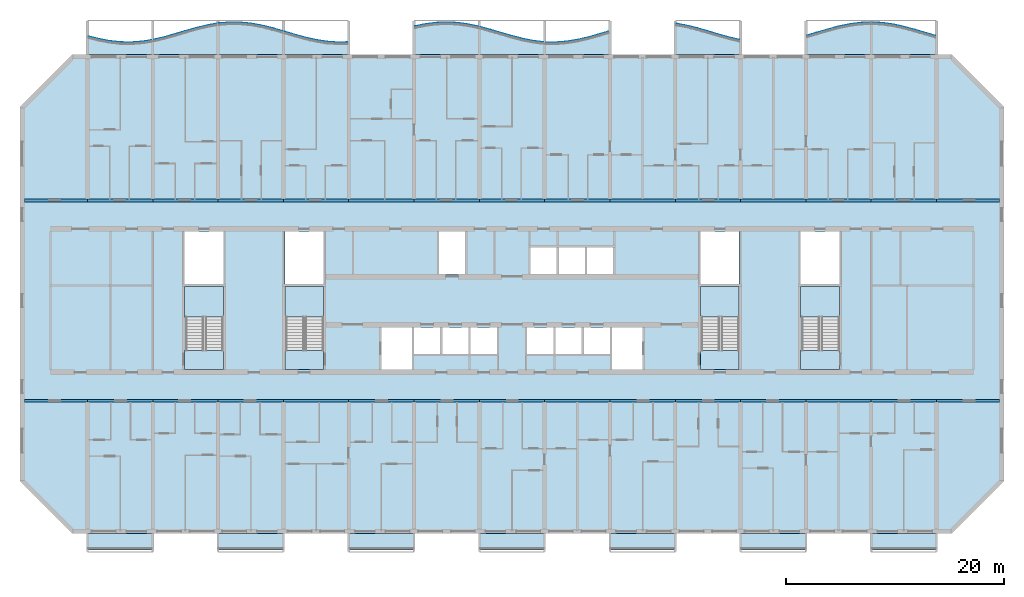
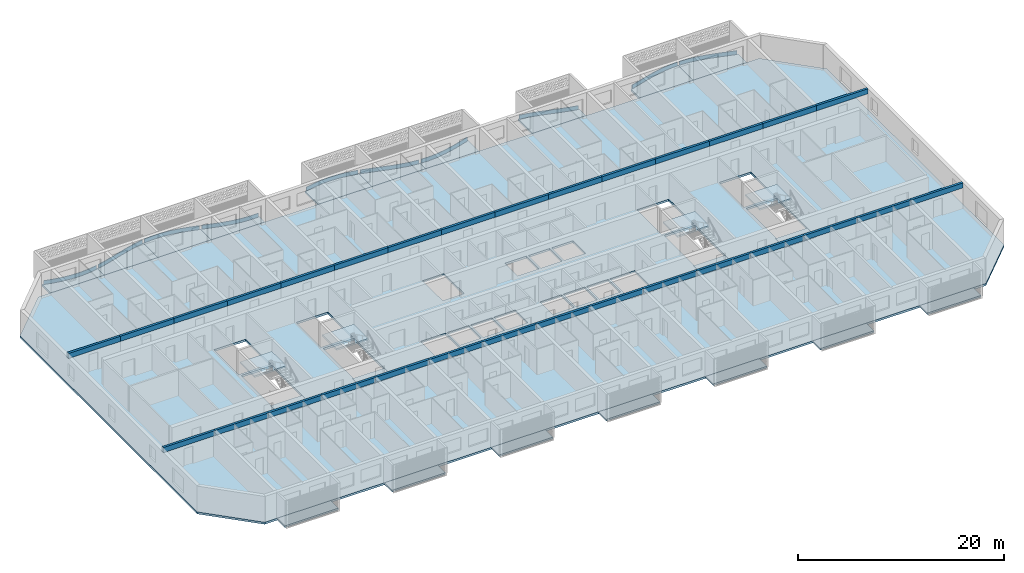
# One storey, part 1 of 26: 30 beams, 26 slabs, 10 plates, 4 elements without a shape of their own.
"""IFC4 building model written with IfcOpenShell, lengths in metres."""

from ifc_helpers import new_model, si_unit, direction, frame, origin, origin_2d, place, context, subcontext, project, spatial, polyline, rectangle, outline, extrude, source, transform, mapped, material, layer, layer_set, material_profile, profile_set, type_object, element, aggregate, save


model = new_model("IFC4")

# Units and contexts
model_context = context("Model", 3, precision=1e-05, world=origin(), true_north=direction((0.0, 1.0)))
body_context = subcontext(model_context, "Body", "Model", "MODEL_VIEW")
ifc_project = project(units=[si_unit("LENGTHUNIT", "METRE"), si_unit("AREAUNIT", "SQUARE_METRE"), si_unit("VOLUMEUNIT", "CUBIC_METRE"), si_unit("PLANEANGLEUNIT", "RADIAN"), si_unit("MASSUNIT", "GRAM", prefix="KILO")], contexts=[model_context])

# Site, building, storey
site_placement = place(None, origin())
site = spatial("IfcSite", under=ifc_project, at=site_placement, CompositionType="ELEMENT")
building_placement = place(site_placement, origin())
building = spatial("IfcBuilding", under=site, at=building_placement, Name="Poui Terraces", CompositionType="ELEMENT")
storey_placement = place(building_placement, frame((0.0, 0.0, 79.5)))
storey = spatial("IfcBuildingStorey", under=building, at=storey_placement, Name="L21", CompositionType="ELEMENT", Elevation=79.5)

# Beams
ifc_material_1 = material(Name="Concrete 65 MPa", Category="concrete")
ifc_material_profile = material_profile(ifc_material_1, rectangle(XDim=0.25, YDim=0.60009765625, at=origin_2d()), Name="RC 250x600")
ifc_profile_set = profile_set([ifc_material_profile], Name="Concrete 65 MPa")
beam_type = type_object("IfcBeamType", Name="COUPLING BEAM 250x600 65MPa", PredefinedType="BEAM", material=ifc_profile_set)
shared_shape_1 = source(origin(), body_context, "Body", "SweptSolid", [
    extrude(rectangle(XDim=0.25, YDim=0.60009765625, at=origin_2d()), origin(), (0.0, 0.0, 1.0), 5.800048828125),
])
for number, where, z_axis, x_axis, name in (
    (1, (6.199951171875, 12.0, 2.760009765625), (1.0, 0.0, 0.0), (0.0, 1.0, 0.0), "COUPLING BEAM LINE B BAY 1"),
    (2, (90.0, 12.0, 2.760009765625), (1.0, 0.0, 0.0), (0.0, 1.0, 0.0), "COUPLING BEAM LINE B BAY 15"),
    (3, (6.199951171875, 30.39990234375, 2.760009765625), (1.0, 0.0, 0.0), (0.0, 1.0, 0.0), "COUPLING BEAM LINE E BAY 1"),
    (4, (90.0, 30.39990234375, 2.760009765625), (1.0, 0.0, 0.0), (0.0, 1.0, 0.0), "COUPLING BEAM LINE E BAY 15"),
):
    element("IfcBeam", number, at=place(storey_placement, frame(where, z_axis=z_axis, x_axis=x_axis)), inside=storey, type_object=beam_type, Name=name, PredefinedType="BEAM", context=body_context, shape_type="MappedRepresentation", body=[
        mapped(shared_shape_1, transform((0.0, 0.0, 0.0))),
    ])
shared_shape_2 = source(origin(), body_context, "Body", "SweptSolid", [
    extrude(rectangle(XDim=0.25, YDim=0.60009765625, at=origin_2d()), origin(), (0.0, 0.0, 1.0), 6.0),
])
for number, where, z_axis, x_axis, name in (
    (5, (12.0, 12.0, 2.760009765625), (1.0, 0.0, 0.0), (0.0, 1.0, 0.0), "COUPLING BEAM LINE B BAY 2"),
    (6, (18.0, 12.0, 2.760009765625), (1.0, 0.0, 0.0), (0.0, 1.0, 0.0), "COUPLING BEAM LINE B BAY 3"),
    (7, (24.0, 12.0, 2.760009765625), (1.0, 0.0, 0.0), (0.0, 1.0, 0.0), "COUPLING BEAM LINE B BAY 4"),
    (8, (30.0, 12.0, 2.760009765625), (1.0, 0.0, 0.0), (0.0, 1.0, 0.0), "COUPLING BEAM LINE B BAY 5"),
    (9, (36.0, 12.0, 2.760009765625), (1.0, 0.0, 0.0), (0.0, 1.0, 0.0), "COUPLING BEAM LINE B BAY 6"),
    (10, (42.0, 12.0, 2.760009765625), (1.0, 0.0, 0.0), (0.0, 1.0, 0.0), "COUPLING BEAM LINE B BAY 7"),
    (11, (48.0, 12.0, 2.760009765625), (1.0, 0.0, 0.0), (0.0, 1.0, 0.0), "COUPLING BEAM LINE B BAY 8"),
    (12, (54.0, 12.0, 2.760009765625), (1.0, 0.0, 0.0), (0.0, 1.0, 0.0), "COUPLING BEAM LINE B BAY 9"),
    (13, (60.0, 12.0, 2.760009765625), (1.0, 0.0, 0.0), (0.0, 1.0, 0.0), "COUPLING BEAM LINE B BAY 10"),
    (14, (66.0, 12.0, 2.760009765625), (1.0, 0.0, 0.0), (0.0, 1.0, 0.0), "COUPLING BEAM LINE B BAY 11"),
    (15, (72.0, 12.0, 2.760009765625), (1.0, 0.0, 0.0), (0.0, 1.0, 0.0), "COUPLING BEAM LINE B BAY 12"),
    (16, (78.0, 12.0, 2.760009765625), (1.0, 0.0, 0.0), (0.0, 1.0, 0.0), "COUPLING BEAM LINE B BAY 13"),
    (17, (84.0, 12.0, 2.760009765625), (1.0, 0.0, 0.0), (0.0, 1.0, 0.0), "COUPLING BEAM LINE B BAY 14"),
    (18, (12.0, 30.39990234375, 2.760009765625), (1.0, 0.0, 0.0), (0.0, 1.0, 0.0), "COUPLING BEAM LINE E BAY 2"),
    (19, (18.0, 30.39990234375, 2.760009765625), (1.0, 0.0, 0.0), (0.0, 1.0, 0.0), "COUPLING BEAM LINE E BAY 3"),
    (20, (24.0, 30.39990234375, 2.760009765625), (1.0, 0.0, 0.0), (0.0, 1.0, 0.0), "COUPLING BEAM LINE E BAY 4"),
    (21, (30.0, 30.39990234375, 2.760009765625), (1.0, 0.0, 0.0), (0.0, 1.0, 0.0), "COUPLING BEAM LINE E BAY 5"),
    (22, (36.0, 30.39990234375, 2.760009765625), (1.0, 0.0, 0.0), (0.0, 1.0, 0.0), "COUPLING BEAM LINE E BAY 6"),
    (23, (42.0, 30.39990234375, 2.760009765625), (1.0, 0.0, 0.0), (0.0, 1.0, 0.0), "COUPLING BEAM LINE E BAY 7"),
    (24, (48.0, 30.39990234375, 2.760009765625), (1.0, 0.0, 0.0), (0.0, 1.0, 0.0), "COUPLING BEAM LINE E BAY 8"),
    (25, (54.0, 30.39990234375, 2.760009765625), (1.0, 0.0, 0.0), (0.0, 1.0, 0.0), "COUPLING BEAM LINE E BAY 9"),
    (26, (60.0, 30.39990234375, 2.760009765625), (1.0, 0.0, 0.0), (0.0, 1.0, 0.0), "COUPLING BEAM LINE E BAY 10"),
    (27, (66.0, 30.39990234375, 2.760009765625), (1.0, 0.0, 0.0), (0.0, 1.0, 0.0), "COUPLING BEAM LINE E BAY 11"),
    (28, (72.0, 30.39990234375, 2.760009765625), (1.0, 0.0, 0.0), (0.0, 1.0, 0.0), "COUPLING BEAM LINE E BAY 12"),
    (29, (78.0, 30.39990234375, 2.760009765625), (1.0, 0.0, 0.0), (0.0, 1.0, 0.0), "COUPLING BEAM LINE E BAY 13"),
    (30, (84.0, 30.39990234375, 2.760009765625), (1.0, 0.0, 0.0), (0.0, 1.0, 0.0), "COUPLING BEAM LINE E BAY 14"),
):
    element("IfcBeam", number, at=place(storey_placement, frame(where, z_axis=z_axis, x_axis=x_axis)), inside=storey, type_object=beam_type, Name=name, PredefinedType="BEAM", context=body_context, shape_type="MappedRepresentation", body=[
        mapped(shared_shape_2, transform((0.0, 0.0, 0.0))),
    ])

# Slabs
ifc_material_2 = material(Name="Precast concrete 40 MPa", Category="concrete")
ifc_layer_1 = layer(ifc_material_2, 0.199951171875)
ifc_layer_set_1 = layer_set([ifc_layer_1], Name="Precast concrete 40 MPa")
slab_type_1 = type_object("IfcSlabType", Name="BALCONY SLAB 200", PredefinedType="FLOOR", material=ifc_layer_set_1)
slab_1_placement = place(storey_placement, frame((0.0, 0.0, -0.2001953125)))
element("IfcSlab", 31, at=slab_1_placement, inside=storey, type_object=slab_type_1, Name="BALCONY SLAB", PredefinedType="FLOOR", context=body_context, shape_type="SweptSolid", body=[
    extrude(outline(polyline([(12.0, 43.800048828125), (18.0, 43.800048828125), (18.0, 45.140869140625), (17.0, 44.97900390625), (16.0, 44.904052734375), (15.0, 44.924072265625), (14.0, 45.03662109375), (13.0, 45.23046875), (12.0, 45.4853515625), (12.0, 43.800048828125)])), origin(), (0.0, 0.0, 1.0), 0.2001953125),
])
slab_2_placement = place(storey_placement, frame((0.0, 0.0, -0.2001953125)))
element("IfcSlab", 32, at=slab_2_placement, inside=storey, type_object=slab_type_1, Name="BALCONY SLAB", PredefinedType="FLOOR", context=body_context, shape_type="SweptSolid", body=[
    extrude(outline(polyline([(18.0, 43.800048828125), (24.0, 43.800048828125), (24.0, 46.649658203125), (23.0, 46.474609375), (22.0, 46.232666015625), (21.0, 45.94873046875), (20.0, 45.652099609375), (19.0, 45.373291015625), (18.0, 45.140869140625), (18.0, 43.800048828125)])), origin(), (0.0, 0.0, 1.0), 0.2001953125),
])
slab_3_placement = place(storey_placement, frame((0.0, 0.0, -0.2001953125)))
element("IfcSlab", 33, at=slab_3_placement, inside=storey, type_object=slab_type_1, Name="BALCONY SLAB", PredefinedType="FLOOR", context=body_context, shape_type="SweptSolid", body=[
    extrude(outline(polyline([(24.0, 43.800048828125), (30.0, 43.800048828125), (30.0, 45.92431640625), (29.0, 46.210205078125), (28.0, 46.456787109375), (27.0, 46.63818359375), (26.0, 46.73583984375), (25.0, 46.739990234375), (24.0, 46.649658203125), (24.0, 43.800048828125)])), origin(), (0.0, 0.0, 1.0), 0.2001953125),
])
slab_4_placement = place(storey_placement, frame((0.0, 0.0, -0.2001953125)))
element("IfcSlab", 34, at=slab_4_placement, inside=storey, type_object=slab_type_1, Name="BALCONY SLAB", PredefinedType="FLOOR", context=body_context, shape_type="SweptSolid", body=[
    extrude(outline(polyline([(30.0, 43.800048828125), (36.0, 43.800048828125), (36.0, 44.929931640625), (35.0, 44.902099609375), (34.0, 44.96923828125), (33.0, 45.12451171875), (32.0, 45.351806640625), (31.0, 45.627685546875), (30.0, 45.92431640625), (30.0, 43.800048828125)])), origin(), (0.0, 0.0, 1.0), 0.2001953125),
])
slab_5_placement = place(storey_placement, frame((0.0, 0.0, -0.2001953125)))
element("IfcSlab", 35, at=slab_5_placement, inside=storey, type_object=slab_type_1, Name="BALCONY SLAB", PredefinedType="FLOOR", context=body_context, shape_type="SweptSolid", body=[
    extrude(outline(polyline([(42.0, 43.800048828125), (48.0, 43.800048828125), (48.0, 46.340087890625), (47.0, 46.556884765625), (46.0, 46.698486328125), (45.0, 46.75), (44.0, 46.706298828125), (43.0, 46.572021484375), (42.0, 46.360595703125), (42.0, 43.800048828125)])), origin(), (0.0, 0.0, 1.0), 0.2001953125),
])
slab_6_placement = place(storey_placement, frame((0.0, 0.0, -0.2001953125)))
element("IfcSlab", 36, at=slab_6_placement, inside=storey, type_object=slab_type_1, Name="BALCONY SLAB", PredefinedType="FLOOR", context=body_context, shape_type="SweptSolid", body=[
    extrude(outline(polyline([(48.0, 43.800048828125), (54.0, 43.800048828125), (54.0, 44.924072265625), (53.0, 45.03662109375), (52.0, 45.23046875), (51.0, 45.4853515625), (50.0, 45.775390625), (49.0, 46.0703125), (48.0, 46.340087890625), (48.0, 43.800048828125)])), origin(), (0.0, 0.0, 1.0), 0.2001953125),
])
slab_7_placement = place(storey_placement, frame((0.0, 0.0, -0.2001953125)))
element("IfcSlab", 37, at=slab_7_placement, inside=storey, type_object=slab_type_1, Name="BALCONY SLAB", PredefinedType="FLOOR", context=body_context, shape_type="SweptSolid", body=[
    extrude(outline(polyline([(54.0, 43.800048828125), (60.0, 43.800048828125), (60.0, 45.94873046875), (59.0, 45.652099609375), (58.0, 45.373291015625), (57.0, 45.140869140625), (56.0, 44.97900390625), (55.0, 44.904052734375), (54.0, 44.924072265625), (54.0, 43.800048828125)])), origin(), (0.0, 0.0, 1.0), 0.2001953125),
])
slab_8_placement = place(storey_placement, frame((0.0, 0.0, -0.2001953125)))
element("IfcSlab", 38, at=slab_8_placement, inside=storey, type_object=slab_type_1, Name="BALCONY SLAB", PredefinedType="FLOOR", context=body_context, shape_type="SweptSolid", body=[
    extrude(outline(polyline([(66.0, 43.800048828125), (72.0, 43.800048828125), (72.0, 45.12451171875), (71.0, 45.351806640625), (70.0, 45.627685546875), (69.0, 45.92431640625), (68.0, 46.210205078125), (67.0, 46.456787109375), (66.0, 46.63818359375), (66.0, 43.800048828125)])), origin(), (0.0, 0.0, 1.0), 0.2001953125),
])
slab_9_placement = place(storey_placement, frame((0.0, 0.0, -0.2001953125)))
element("IfcSlab", 39, at=slab_9_placement, inside=storey, type_object=slab_type_1, Name="BALCONY SLAB", PredefinedType="FLOOR", context=body_context, shape_type="SweptSolid", body=[
    extrude(outline(polyline([(78.0, 43.800048828125), (84.0, 43.800048828125), (84.0, 46.75), (83.0, 46.706298828125), (82.0, 46.572021484375), (81.0, 46.360595703125), (80.0, 46.09423828125), (79.0, 45.80029296875), (78.0, 45.508544921875), (78.0, 43.800048828125)])), origin(), (0.0, 0.0, 1.0), 0.2001953125),
])
slab_10_placement = place(storey_placement, frame((0.0, 0.0, -0.2001953125)))
element("IfcSlab", 40, at=slab_10_placement, inside=storey, type_object=slab_type_1, Name="BALCONY SLAB", PredefinedType="FLOOR", context=body_context, shape_type="SweptSolid", body=[
    extrude(outline(polyline([(84.0, 43.800048828125), (90.0, 43.800048828125), (90.0, 45.4853515625), (89.0, 45.775390625), (88.0, 46.0703125), (87.0, 46.340087890625), (86.0, 46.556884765625), (85.0, 46.698486328125), (84.0, 46.75), (84.0, 43.800048828125)])), origin(), (0.0, 0.0, 1.0), 0.2001953125),
])

# Stair, slabs
stair_type = type_object("IfcStairType", Name="EXIT STAIR 1650 65 MPA", PredefinedType="HALF_TURN_STAIR", material=ifc_material_1)
stair_1_placement = place(storey_placement, origin())
stair_1 = element("IfcStair", 41, at=stair_1_placement, inside=storey, type_object=stair_type, Name="L21 CORE STAIR EAST", PredefinedType="HALF_TURN_STAIR")
ifc_layer_2 = layer(ifc_material_1, 0.199951171875)
ifc_layer_set_2 = layer_set([ifc_layer_2], Name="Concrete 65 MPa")
slab_type_2 = type_object("IfcSlabType", Name="STAIR LANDING 200 65 MPA", PredefinedType="LANDING", material=ifc_layer_set_2)
slab_11_placement = place(storey_placement, frame((0.0, 0.0, 1.449951171875)))
slab_11 = element("IfcSlab", 42, at=slab_11_placement, type_object=slab_type_2, Name="ST-CE landing 1", PredefinedType="LANDING", context=body_context, shape_type="SweptSolid", body=[
    extrude(outline(polyline([(68.324951171875, 19.679931640625), (71.875, 19.679931640625), (71.875, 22.47509765625), (68.324951171875, 22.47509765625), (68.324951171875, 19.679931640625)])), origin(), (0.0, 0.0, 1.0), 0.199951171875),
])
slab_12_placement = place(storey_placement, frame((0.0, 0.0, -0.2001953125)))
slab_12 = element("IfcSlab", 43, at=slab_12_placement, type_object=slab_type_2, Name="ST-CE landing 2", PredefinedType="LANDING", context=body_context, shape_type="SweptSolid", body=[
    extrude(outline(polyline([(68.324951171875, 14.85009765625), (71.875, 14.85009765625), (71.875, 16.60009765625), (68.324951171875, 16.60009765625), (68.324951171875, 14.85009765625)])), origin(), (0.0, 0.0, 1.0), 0.2001953125),
])
aggregate(stair_1, [slab_11, slab_12])

stair_2_placement = place(storey_placement, origin())
stair_2 = element("IfcStair", 44, at=stair_2_placement, inside=storey, type_object=stair_type, Name="L21 CORE STAIR WEST", PredefinedType="HALF_TURN_STAIR")
slab_13_placement = place(storey_placement, frame((0.0, 0.0, 1.449951171875)))
slab_13 = element("IfcSlab", 45, at=slab_13_placement, type_object=slab_type_2, Name="ST-CW landing 1", PredefinedType="LANDING", context=body_context, shape_type="SweptSolid", body=[
    extrude(outline(polyline([(30.125, 19.679931640625), (33.675048828125, 19.679931640625), (33.675048828125, 22.47509765625), (30.125, 22.47509765625), (30.125, 19.679931640625)])), origin(), (0.0, 0.0, 1.0), 0.199951171875),
])
slab_14_placement = place(storey_placement, frame((0.0, 0.0, -0.2001953125)))
slab_14 = element("IfcSlab", 46, at=slab_14_placement, type_object=slab_type_2, Name="ST-CW landing 2", PredefinedType="LANDING", context=body_context, shape_type="SweptSolid", body=[
    extrude(outline(polyline([(30.125, 14.85009765625), (33.675048828125, 14.85009765625), (33.675048828125, 16.60009765625), (30.125, 16.60009765625), (30.125, 14.85009765625)])), origin(), (0.0, 0.0, 1.0), 0.2001953125),
])
aggregate(stair_2, [slab_13, slab_14])

stair_3_placement = place(storey_placement, origin())
stair_3 = element("IfcStair", 47, at=stair_3_placement, inside=storey, type_object=stair_type, Name="L21 TIP STAIR EAST", PredefinedType="HALF_TURN_STAIR")
slab_15_placement = place(storey_placement, frame((0.0, 0.0, 1.449951171875)))
slab_15 = element("IfcSlab", 48, at=slab_15_placement, type_object=slab_type_2, Name="ST-E landing 1", PredefinedType="LANDING", context=body_context, shape_type="SweptSolid", body=[
    extrude(outline(polyline([(77.52490234375, 19.679931640625), (81.074951171875, 19.679931640625), (81.074951171875, 22.47509765625), (77.52490234375, 22.47509765625), (77.52490234375, 19.679931640625)])), origin(), (0.0, 0.0, 1.0), 0.199951171875),
])
slab_16_placement = place(storey_placement, frame((0.0, 0.0, -0.2001953125)))
slab_16 = element("IfcSlab", 49, at=slab_16_placement, type_object=slab_type_2, Name="ST-E landing 2", PredefinedType="LANDING", context=body_context, shape_type="SweptSolid", body=[
    extrude(outline(polyline([(77.52490234375, 14.85009765625), (81.074951171875, 14.85009765625), (81.074951171875, 16.60009765625), (77.52490234375, 16.60009765625), (77.52490234375, 14.85009765625)])), origin(), (0.0, 0.0, 1.0), 0.2001953125),
])
aggregate(stair_3, [slab_15, slab_16])

stair_4_placement = place(storey_placement, origin())
stair_4 = element("IfcStair", 50, at=stair_4_placement, inside=storey, type_object=stair_type, Name="L21 TIP STAIR WEST", PredefinedType="HALF_TURN_STAIR")
slab_17_placement = place(storey_placement, frame((0.0, 0.0, 1.449951171875)))
slab_17 = element("IfcSlab", 51, at=slab_17_placement, type_object=slab_type_2, Name="ST-W landing 1", PredefinedType="LANDING", context=body_context, shape_type="SweptSolid", body=[
    extrude(outline(polyline([(20.925048828125, 19.679931640625), (24.47509765625, 19.679931640625), (24.47509765625, 22.47509765625), (20.925048828125, 22.47509765625), (20.925048828125, 19.679931640625)])), origin(), (0.0, 0.0, 1.0), 0.199951171875),
])
slab_18_placement = place(storey_placement, frame((0.0, 0.0, -0.2001953125)))
slab_18 = element("IfcSlab", 52, at=slab_18_placement, type_object=slab_type_2, Name="ST-W landing 2", PredefinedType="LANDING", context=body_context, shape_type="SweptSolid", body=[
    extrude(outline(polyline([(20.925048828125, 14.85009765625), (24.47509765625, 14.85009765625), (24.47509765625, 16.60009765625), (20.925048828125, 16.60009765625), (20.925048828125, 14.85009765625)])), origin(), (0.0, 0.0, 1.0), 0.2001953125),
])
aggregate(stair_4, [slab_17, slab_18])

# Plates
ifc_layer_3 = layer(ifc_material_2, 0.080078125)
ifc_layer_set_3 = layer_set([ifc_layer_3], Name="Precast concrete 40 MPa")
plate_type = type_object("IfcPlateType", Name="SUNSHADE UPSTAND 80", PredefinedType="SHEET", material=ifc_layer_set_3)
plate_1_placement = place(storey_placement, origin())
element("IfcPlate", 53, at=plate_1_placement, inside=storey, type_object=plate_type, Name="SUNSHADE UPSTAND", PredefinedType="SHEET", context=body_context, shape_type="SweptSolid", body=[
    extrude(outline(polyline([(13.0087890625, 45.224609375), (12.134765625, 45.44482421875), (12.115234375, 45.3671875), (12.9912109375, 45.146484375), (13.993896484375, 44.9521484375), (14.997314453125, 44.839111328125), (16.001220703125, 44.819091796875), (17.004638671875, 44.894287109375), (17.881103515625, 45.031982421875), (17.868896484375, 45.11083984375), (16.995361328125, 44.9736328125), (15.998779296875, 44.899169921875), (15.002685546875, 44.9189453125), (14.006103515625, 45.03125), (13.0087890625, 45.224609375)])), origin(), (0.0, 0.0, 1.0), 0.449951171875),
])
plate_2_placement = place(storey_placement, origin())
element("IfcPlate", 54, at=plate_2_placement, inside=storey, type_object=plate_type, Name="SUNSHADE UPSTAND", PredefinedType="SHEET", context=body_context, shape_type="SweptSolid", body=[
    extrude(outline(polyline([(18.989990234375, 45.366943359375), (18.11572265625, 45.160400390625), (18.13427734375, 45.08251953125), (19.010009765625, 45.28955078125), (20.010986328125, 45.568603515625), (21.01123046875, 45.865478515625), (22.01025390625, 46.14892578125), (23.00830078125, 46.390380859375), (23.882080078125, 46.5478515625), (23.867919921875, 46.626708984375), (22.99169921875, 46.46875), (21.98974609375, 46.226318359375), (20.98876953125, 45.942138671875), (19.989013671875, 45.6455078125), (18.989990234375, 45.366943359375)])), origin(), (0.0, 0.0, 1.0), 0.449951171875),
])
plate_3_placement = place(storey_placement, origin())
element("IfcPlate", 55, at=plate_3_placement, inside=storey, type_object=plate_type, Name="SUNSHADE UPSTAND", PredefinedType="SHEET", context=body_context, shape_type="SweptSolid", body=[
    extrude(outline(polyline([(24.998291015625, 46.73486328125), (24.13671875, 46.662109375), (24.12158203125, 46.66064453125), (24.12841796875, 46.5810546875), (25.001708984375, 46.65478515625), (25.998046875, 46.65087890625), (26.994384765625, 46.5537109375), (27.99169921875, 46.37255859375), (28.98974609375, 46.126708984375), (29.864013671875, 45.877685546875), (29.885986328125, 45.95458984375), (29.01025390625, 46.2041015625), (28.00830078125, 46.450927734375), (27.005615234375, 46.6328125), (26.001953125, 46.73095703125), (24.998291015625, 46.73486328125)])), origin(), (0.0, 0.0, 1.0), 0.449951171875),
])
plate_4_placement = place(storey_placement, origin())
element("IfcPlate", 56, at=plate_4_placement, inside=storey, type_object=plate_type, Name="SUNSHADE UPSTAND", PredefinedType="SHEET", context=body_context, shape_type="SweptSolid", body=[
    extrude(outline(polyline([(31.010986328125, 45.621337890625), (30.136474609375, 45.88037109375), (30.113525390625, 45.8037109375), (30.989013671875, 45.54443359375), (31.990234375, 45.26806640625), (32.992431640625, 45.0400390625), (33.99560546875, 44.884521484375), (34.9990234375, 44.817138671875), (35.8759765625, 44.836181640625), (35.8740234375, 44.916259765625), (35.0009765625, 44.897216796875), (34.00439453125, 44.964111328125), (33.007568359375, 45.118896484375), (32.009765625, 45.345703125), (31.010986328125, 45.621337890625)])), origin(), (0.0, 0.0, 1.0), 0.449951171875),
])
plate_5_placement = place(storey_placement, origin())
element("IfcPlate", 57, at=plate_5_placement, inside=storey, type_object=plate_type, Name="SUNSHADE UPSTAND", PredefinedType="SHEET", context=body_context, shape_type="SweptSolid", body=[
    extrude(outline(polyline([(42.993408203125, 46.56640625), (42.116943359375, 46.384765625), (42.133056640625, 46.306396484375), (43.006591796875, 46.4873046875), (44.00341796875, 46.621337890625), (44.999755859375, 46.664794921875), (45.99609375, 46.613525390625), (46.992919921875, 46.472412109375), (47.86669921875, 46.28662109375), (47.88330078125, 46.36474609375), (47.007080078125, 46.551513671875), (46.00390625, 46.693115234375), (45.000244140625, 46.7451171875), (43.99658203125, 46.701171875), (42.993408203125, 46.56640625)])), origin(), (0.0, 0.0, 1.0), 0.449951171875),
])
plate_6_placement = place(storey_placement, origin())
element("IfcPlate", 58, at=plate_6_placement, inside=storey, type_object=plate_type, Name="SUNSHADE UPSTAND", PredefinedType="SHEET", context=body_context, shape_type="SweptSolid", body=[
    extrude(outline(polyline([(49.010986328125, 46.06396484375), (48.135498046875, 46.302490234375), (48.114501953125, 46.22509765625), (48.989013671875, 45.98681640625), (49.98876953125, 45.69189453125), (50.989501953125, 45.40185546875), (51.9912109375, 45.146484375), (52.993896484375, 44.9521484375), (53.870361328125, 44.848388671875), (53.879638671875, 44.927978515625), (53.006103515625, 45.03125), (52.0087890625, 45.224609375), (51.010498046875, 45.47900390625), (50.01123046875, 45.768798828125), (49.010986328125, 46.06396484375)])), origin(), (0.0, 0.0, 1.0), 0.449951171875),
])
plate_7_placement = place(storey_placement, origin())
element("IfcPlate", 59, at=plate_7_placement, inside=storey, type_object=plate_type, Name="SUNSHADE UPSTAND", PredefinedType="SHEET", context=body_context, shape_type="SweptSolid", body=[
    extrude(outline(polyline([(54.998779296875, 44.899169921875), (54.12548828125, 44.911376953125), (54.12451171875, 44.831298828125), (55.001220703125, 44.819091796875), (56.004638671875, 44.894287109375), (57.0078125, 45.056640625), (58.010009765625, 45.28955078125), (59.010986328125, 45.568603515625), (59.886474609375, 45.82861328125), (59.863525390625, 45.9052734375), (58.989013671875, 45.6455078125), (57.989990234375, 45.3671875), (56.9921875, 45.13525390625), (55.995361328125, 44.9736328125), (54.998779296875, 44.899169921875)])), origin(), (0.0, 0.0, 1.0), 0.449951171875),
])
plate_8_placement = place(storey_placement, origin())
element("IfcPlate", 60, at=plate_8_placement, inside=storey, type_object=plate_type, Name="SUNSHADE UPSTAND", PredefinedType="SHEET", context=body_context, shape_type="SweptSolid", body=[
    extrude(outline(polyline([(67.008544921875, 46.450927734375), (66.13232421875, 46.614013671875), (66.11767578125, 46.535400390625), (66.991455078125, 46.37255859375), (67.98974609375, 46.126708984375), (68.98876953125, 45.8408203125), (69.989013671875, 45.54443359375), (70.990234375, 45.26806640625), (71.865966796875, 45.0654296875), (71.884033203125, 45.143310546875), (71.009765625, 45.345703125), (70.010986328125, 45.621337890625), (69.01123046875, 45.91748046875), (68.01025390625, 46.203857421875), (67.008544921875, 46.450927734375)])), origin(), (0.0, 0.0, 1.0), 0.449951171875),
])
plate_9_placement = place(storey_placement, origin())
element("IfcPlate", 61, at=plate_9_placement, inside=storey, type_object=plate_type, Name="SUNSHADE UPSTAND", PredefinedType="SHEET", context=body_context, shape_type="SweptSolid", body=[
    extrude(outline(polyline([(78.98876953125, 45.79345703125), (78.11376953125, 45.537353515625), (78.13623046875, 45.46044921875), (79.01123046875, 45.716796875), (80.0107421875, 46.0107421875), (81.00927734375, 46.276611328125), (82.0068359375, 46.4873046875), (83.003662109375, 46.621337890625), (83.876953125, 46.664794921875), (83.873046875, 46.744384765625), (83.831787109375, 46.74267578125), (82.996337890625, 46.701171875), (81.9931640625, 46.56640625), (80.99072265625, 46.3544921875), (79.9892578125, 46.087890625), (78.98876953125, 45.79345703125)])), origin(), (0.0, 0.0, 1.0), 0.449951171875),
])
plate_10_placement = place(storey_placement, origin())
element("IfcPlate", 62, at=plate_10_placement, inside=storey, type_object=plate_type, Name="SUNSHADE UPSTAND", PredefinedType="SHEET", context=body_context, shape_type="SweptSolid", body=[
    extrude(outline(polyline([(85.00390625, 46.693115234375), (84.16845703125, 46.7412109375), (84.127197265625, 46.743408203125), (84.122802734375, 46.663818359375), (84.99609375, 46.613525390625), (85.992919921875, 46.47265625), (86.990478515625, 46.25634765625), (87.989013671875, 45.98681640625), (88.98876953125, 45.69189453125), (89.86376953125, 45.43701171875), (89.88623046875, 45.513671875), (89.01123046875, 45.768798828125), (88.010986328125, 46.06396484375), (87.009521484375, 46.333984375), (86.007080078125, 46.551513671875), (85.00390625, 46.693115234375)])), origin(), (0.0, 0.0, 1.0), 0.449951171875),
])

# Slabs
ifc_material_3 = material(Name="Concrete 40 MPa", Category="concrete")
ifc_layer_4 = layer(ifc_material_3, 0.239990234375)
ifc_layer_set_4 = layer_set([ifc_layer_4], Name="Concrete 40 MPa")
slab_type_3 = type_object("IfcSlabType", Name="FLOOR SLAB 240", PredefinedType="FLOOR", material=ifc_layer_set_4)
shared_shape_3 = source(origin(), body_context, "Body", "SweptSolid", [
    extrude(outline(polyline([(0.0, 0.0), (4.800048828125, -4.800048828125), (85.599853515625, -4.800048828125), (90.39990234375, 0.0), (90.39990234375, 34.39990234375), (85.599853515625, 39.199951171875), (4.800048828125, 39.199951171875), (0.0, 34.39990234375), (0.0, 0.0)]), holes=[polyline([(33.199951171875, 10.25), (33.199951171875, 14.14990234375), (36.0, 14.14990234375), (36.0, 10.25), (33.199951171875, 10.25)]), polyline([(36.199951171875, 11.699951171875), (36.199951171875, 14.14990234375), (38.599853515625, 14.14990234375), (38.599853515625, 11.699951171875), (36.199951171875, 11.699951171875)]), polyline([(38.800048828125, 11.699951171875), (38.800048828125, 14.14990234375), (41.199951171875, 14.14990234375), (41.199951171875, 11.699951171875), (38.800048828125, 11.699951171875)]), polyline([(41.39990234375, 14.14990234375), (43.800048828125, 14.14990234375), (43.800048828125, 11.699951171875), (41.39990234375, 11.699951171875), (41.39990234375, 14.14990234375)]), polyline([(46.599853515625, 14.14990234375), (49.0, 14.14990234375), (49.0, 11.699951171875), (46.599853515625, 11.699951171875), (46.599853515625, 14.14990234375)]), polyline([(15.224853515625, 17.849853515625), (18.675048828125, 17.849853515625), (18.675048828125, 12.0), (18.675048828125, 10.25), (15.125, 10.25), (15.125, 12.0), (15.224853515625, 12.0), (15.224853515625, 17.849853515625)]), polyline([(24.425048828125, 17.849853515625), (27.875, 17.849853515625), (27.875, 12.0), (27.875, 10.25), (24.324951171875, 10.25), (24.324951171875, 12.0), (24.425048828125, 12.0), (24.425048828125, 17.849853515625)]), polyline([(15.125, 18.125), (15.125, 22.949951171875), (18.675048828125, 22.949951171875), (18.675048828125, 18.125), (15.125, 18.125)]), polyline([(24.324951171875, 22.949951171875), (27.875, 22.949951171875), (27.875, 18.125), (24.324951171875, 18.125), (24.324951171875, 22.949951171875)]), polyline([(38.5, 22.949951171875), (40.89990234375, 22.949951171875), (40.89990234375, 19.0498046875), (38.5, 19.0498046875), (38.5, 22.949951171875)]), polyline([(54.39990234375, 10.25), (54.39990234375, 14.14990234375), (57.199951171875, 14.14990234375), (57.199951171875, 10.25), (54.39990234375, 10.25)]), polyline([(49.199951171875, 11.699951171875), (49.199951171875, 14.14990234375), (51.599853515625, 14.14990234375), (51.599853515625, 11.699951171875), (49.199951171875, 11.699951171875)]), polyline([(51.800048828125, 11.699951171875), (51.800048828125, 14.14990234375), (54.199951171875, 14.14990234375), (54.199951171875, 11.699951171875), (51.800048828125, 11.699951171875)]), polyline([(66.074951171875, 17.849853515625), (66.074951171875, 12.0), (66.074951171875, 10.25), (62.52490234375, 10.25), (62.52490234375, 12.0), (62.625, 12.0), (62.625, 17.849853515625), (66.074951171875, 17.849853515625)]), polyline([(75.27490234375, 17.849853515625), (75.27490234375, 12.0), (75.27490234375, 10.25), (71.724853515625, 10.25), (71.724853515625, 12.0), (71.824951171875, 12.0), (71.824951171875, 17.849853515625), (75.27490234375, 17.849853515625)]), polyline([(46.89990234375, 19.0498046875), (46.89990234375, 21.5), (49.300048828125, 21.5), (49.300048828125, 19.0498046875), (46.89990234375, 19.0498046875)]), polyline([(49.5, 19.0498046875), (49.5, 21.5), (51.89990234375, 21.5), (51.89990234375, 19.0498046875), (49.5, 19.0498046875)]), polyline([(52.099853515625, 19.0498046875), (52.099853515625, 21.5), (54.5, 21.5), (54.5, 19.0498046875), (52.099853515625, 19.0498046875)]), polyline([(62.52490234375, 22.949951171875), (66.074951171875, 22.949951171875), (66.074951171875, 18.125), (62.52490234375, 18.125), (62.52490234375, 22.949951171875)]), polyline([(71.724853515625, 22.949951171875), (75.27490234375, 22.949951171875), (75.27490234375, 18.125), (71.724853515625, 18.125), (71.724853515625, 22.949951171875)])]), origin(), (0.0, 0.0, 1.0), 0.240234375),
])
slab_19_placement = place(storey_placement, frame((5.800048828125, 4.60009765625, -0.240234375)))
element("IfcSlab", 63, at=slab_19_placement, inside=storey, type_object=slab_type_3, Name="FLOOR SLAB", PredefinedType="FLOOR", context=body_context, shape_type="MappedRepresentation", body=[
    mapped(shared_shape_3, transform((0.0, 0.0, 0.0))),
])
ifc_layer_5 = layer(ifc_material_2, 0.199951171875)
ifc_layer_set_5 = layer_set([ifc_layer_5], Name="Precast concrete 40 MPa")
slab_type_4 = type_object("IfcSlabType", Name="REAR BALCONY SLAB 200", PredefinedType="FLOOR", material=ifc_layer_set_5)
shared_shape_4 = source(origin(), body_context, "Body", "SweptSolid", [
    extrude(outline(polyline([(0.0, 0.0), (6.0, 0.0), (6.0, 1.5), (0.0, 1.5), (0.0, 0.0)])), origin(), (0.0, 0.0, 1.0), 0.2001953125),
])
for number, where, name in (
    (64, (12.0, -1.699951171875, -0.2001953125), "REAR BALCONY SLAB"),
    (65, (24.0, -1.699951171875, -0.2001953125), "REAR BALCONY SLAB"),
    (66, (36.0, -1.699951171875, -0.2001953125), "REAR BALCONY SLAB"),
    (67, (48.0, -1.699951171875, -0.2001953125), "REAR BALCONY SLAB"),
    (68, (60.0, -1.699951171875, -0.2001953125), "REAR BALCONY SLAB"),
    (69, (72.0, -1.699951171875, -0.2001953125), "REAR BALCONY SLAB"),
    (70, (84.0, -1.699951171875, -0.2001953125), "REAR BALCONY SLAB"),
):
    element("IfcSlab", number, at=place(storey_placement, frame(where)), inside=storey, type_object=slab_type_4, Name=name, PredefinedType="FLOOR", context=body_context, shape_type="MappedRepresentation", body=[
        mapped(shared_shape_4, transform((0.0, 0.0, 0.0))),
    ])

save(model, "model.ifc")
